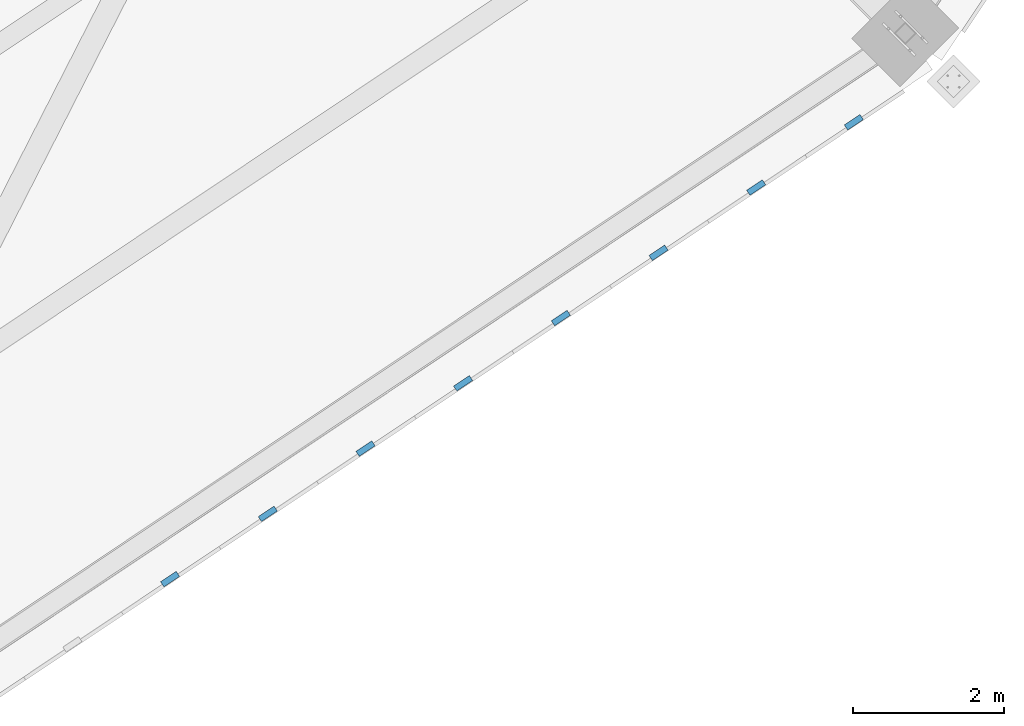
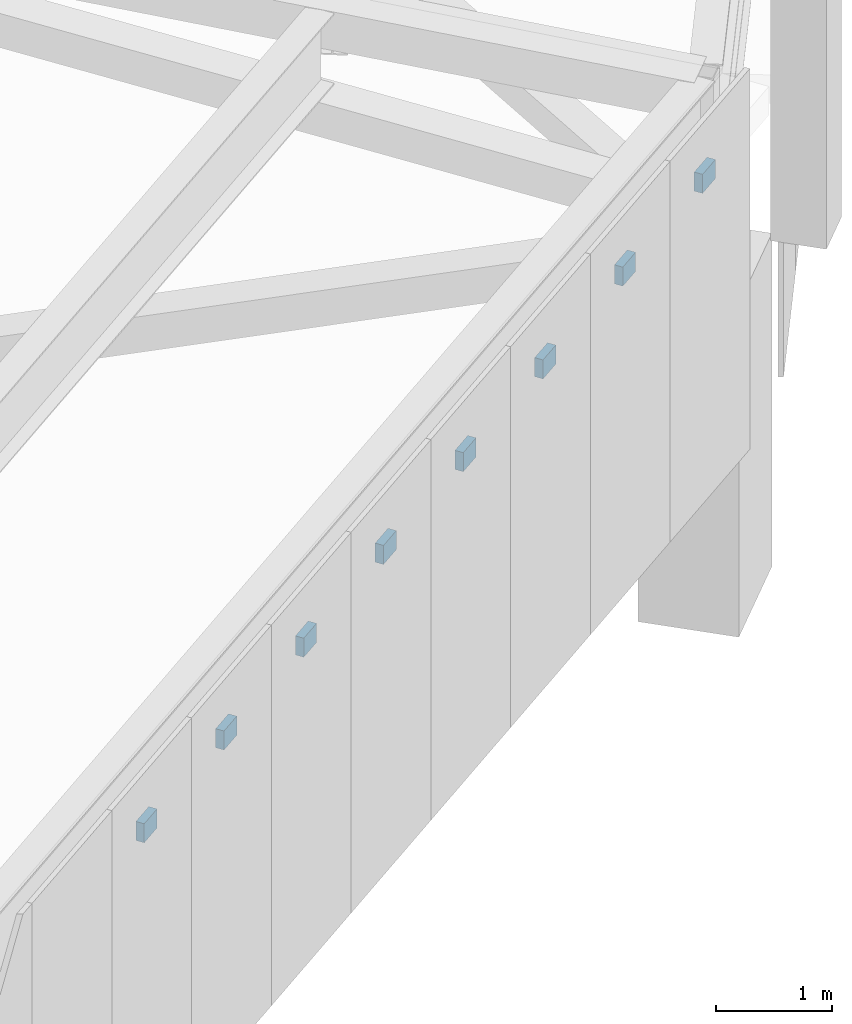
# One storey, part 174 of 278: 8 discrete accessories.
"""IFC4 building model written with IfcOpenShell, lengths in metres."""

from ifc_helpers import new_model, si_unit, direction, frame, origin, origin_2d, place, context, subcontext, project, spatial, rectangle, extrude, material, layer, layer_set, type_object, element, save


model = new_model("IFC4")

# Units and contexts
model_context = context("Model", 3, precision=1e-05, world=origin(), true_north=direction((0.0, 1.0)))
body_context = subcontext(model_context, "Body", "Model", "MODEL_VIEW")
ifc_project = project(units=[si_unit("LENGTHUNIT", "METRE"), si_unit("AREAUNIT", "SQUARE_METRE"), si_unit("VOLUMEUNIT", "CUBIC_METRE"), si_unit("PLANEANGLEUNIT", "RADIAN"), si_unit("MASSUNIT", "GRAM", prefix="KILO")], contexts=[model_context])

# Site, building, storey
site_placement = place(None, origin())
site = spatial("IfcSite", under=ifc_project, at=site_placement, CompositionType="ELEMENT")
building_placement = place(site_placement, origin())
building = spatial("IfcBuilding", under=site, at=building_placement, Name="Ogive Plaza Stadium", CompositionType="ELEMENT")
storey_placement = place(building_placement, frame((0.0, 0.0, 29.0)))
storey = spatial("IfcBuildingStorey", under=building, at=storey_placement, Name="Roof", CompositionType="ELEMENT", Elevation=29.0)

# Discrete accessories
ifc_material = material(Name="Steel ASTM A572 Grade 50", Category="steel")
ifc_layer = layer(ifc_material, 0.080078125)
ifc_layer_set = layer_set([ifc_layer], Name="Steel ASTM A572 Grade 50")
discrete_accessory_type = type_object("IfcDiscreteAccessoryType", Name="Tracery screen bracket 250x200", PredefinedType="BRACKET", material=ifc_layer_set)
for number, where, z_axis, x_axis, name in (
    (1, (68.676025390625, -89.0302734375, 5.25), (0.0, 0.0, 1.0), (-0.831469612303, -0.55557023302, 0.0), "TRACERY SCREEN BRACKET B10 1"),
    (2, (67.385498046875, -89.892578125, 5.25), (0.0, 0.0, 1.0), (-0.831469612303, -0.55557023302, 0.0), "TRACERY SCREEN BRACKET B10 2"),
    (3, (66.0947265625, -90.7548828125, 5.25), (0.0, 0.0, 1.0), (-0.831469612303, -0.55557023302, 0.0), "TRACERY SCREEN BRACKET B10 3"),
    (4, (64.80419921875, -91.6171875, 5.25), (0.0, 0.0, 1.0), (-0.831469612303, -0.55557023302, 0.0), "TRACERY SCREEN BRACKET B10 4"),
    (5, (63.513671875, -92.4794921875, 5.25), (0.0, 0.0, 1.0), (-0.831469612303, -0.55557023302, 0.0), "TRACERY SCREEN BRACKET B10 5"),
    (6, (62.22314453125, -93.341796875, 5.25), (0.0, 0.0, 1.0), (-0.831469612303, -0.55557023302, 0.0), "TRACERY SCREEN BRACKET B10 6"),
    (7, (60.9326171875, -94.204345703125, 5.25), (0.0, 0.0, 1.0), (-0.831469612303, -0.55557023302, 0.0), "TRACERY SCREEN BRACKET B10 7"),
    (8, (59.641845703125, -95.066650390625, 5.25), (0.0, 0.0, 1.0), (-0.831469612303, -0.55557023302, 0.0), "TRACERY SCREEN BRACKET B10 8"),
):
    element("IfcDiscreteAccessory", number, at=place(storey_placement, frame(where, z_axis=z_axis, x_axis=x_axis)), inside=storey, type_object=discrete_accessory_type, Name=name, PredefinedType="BRACKET", context=body_context, shape_type="SweptSolid", body=[
        extrude(rectangle(XDim=0.25, YDim=0.080078125, at=origin_2d()), origin(), (0.0, 0.0, 1.0), 0.199951171875),
    ])

save(model, "model.ifc")
